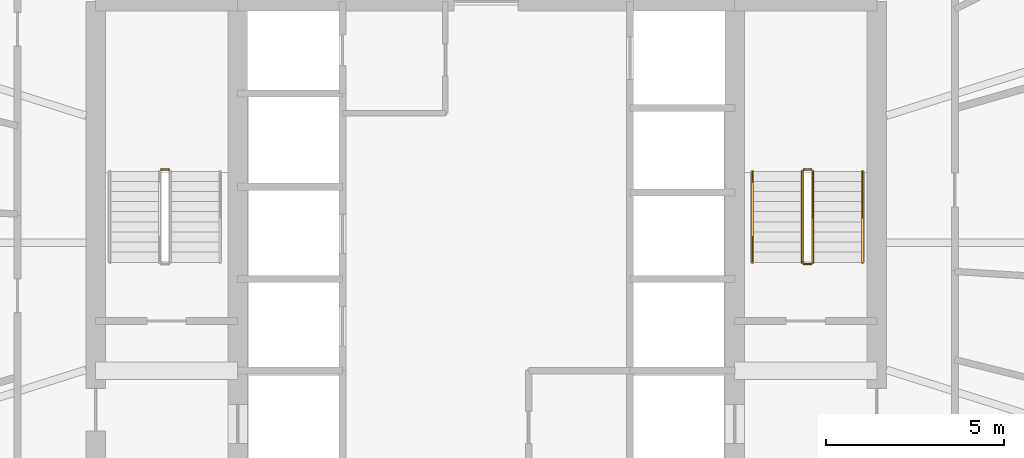
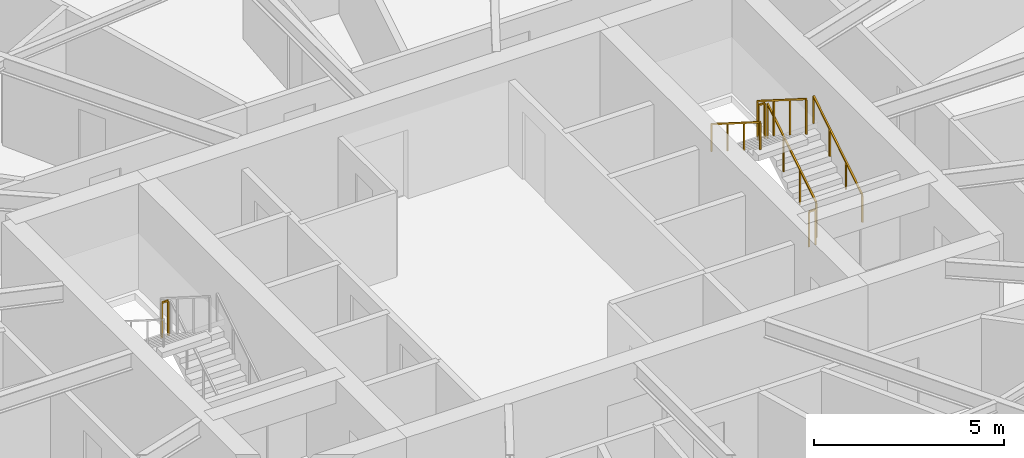
# One storey, part 24 of 24: 7 railings.
"""IFC4 building model written with IfcOpenShell, lengths in metres."""

import ifcopenshell
import ifcopenshell.guid

model = None  # the IFC model being written
_history = None  # IfcOwnerHistory: only IFC2X3 demands one
_inside = {}  # id of a spatial element -> (the spatial element, [elements in it])
_under = {}  # id of a project, library or spatial element -> (it, [spatial elements below it])
_declared = {}  # id of a project -> (the project, [libraries it declares])
_typed = {}  # id of a type object -> (the type object, [elements of that type])
_made_of = {}  # id of a material, layer set ... -> (it, [elements and type objects made of it])


def new_model(schema):
    """Start an empty IFC model of exactly this schema.

    Asked for "IFC4X3", IfcOpenShell would pick the latest addendum, in which some entities
    have other attributes; the version numbers below select the first issue.
    IFC2X3 requires an IfcOwnerHistory on every rooted entity: one is made here for all.
    """
    global model, _history
    if schema == "IFC4X3":
        model = ifcopenshell.file(schema_version=(4, 3, 0, 0))
    else:
        model = ifcopenshell.file(schema=schema)
    _inside.clear()
    _under.clear()
    _declared.clear()
    _typed.clear()
    _made_of.clear()
    _history = None
    if model.schema == "IFC2X3":
        org = make("IfcOrganization", Name="unknown")
        user = make(
            "IfcPersonAndOrganization",
            ThePerson=make("IfcPerson", FamilyName="unknown"),
            TheOrganization=org,
        )
        app = make(
            "IfcApplication",
            ApplicationDeveloper=org,
            Version="unknown",
            ApplicationFullName="unknown",
            ApplicationIdentifier="unknown",
        )
        _history = make(
            "IfcOwnerHistory",
            OwningUser=user,
            OwningApplication=app,
            ChangeAction="ADDED",
            CreationDate=0,
        )
    return model


def make(cls, **values):
    """One entity of the class cls with the attributes given. An attribute that is None is left unset."""
    return model.create_entity(
        cls, **{name: value for name, value in values.items() if value is not None}
    )


def rooted(cls, **values):
    """An entity with a GlobalId (a new one), such as an element, a storey or a relation."""
    return make(cls, GlobalId=ifcopenshell.guid.new(), OwnerHistory=_history, **values)


def si_unit(unit_type, name, prefix=None):
    """IfcSIUnit, for example si_unit("LENGTHUNIT", "METRE", prefix="MILLI")."""
    return make("IfcSIUnit", UnitType=unit_type, Prefix=prefix, Name=name)


def assignment(units):
    """IfcUnitAssignment: the units of a project."""
    return None if units is None else make("IfcUnitAssignment", Units=units)


def point(xyz):
    """IfcCartesianPoint."""
    return None if xyz is None else make("IfcCartesianPoint", Coordinates=xyz)


def direction(xyz):
    """IfcDirection."""
    return None if xyz is None else make("IfcDirection", DirectionRatios=xyz)


def frame(location, z_axis=None, x_axis=None):
    """IfcAxis2Placement3D, a coordinate frame: its origin and axes. An axis left out is left unset."""
    return make(
        "IfcAxis2Placement3D",
        Location=point(location),
        Axis=direction(z_axis),
        RefDirection=direction(x_axis),
    )


def frame_2d(location, x_axis=None):
    """IfcAxis2Placement2D, a coordinate frame in the plane: its origin and x axis."""
    return make(
        "IfcAxis2Placement2D", Location=point(location), RefDirection=direction(x_axis)
    )


def origin():
    """The frame at (0, 0, 0) with its axes left unset."""
    return frame((0.0, 0.0, 0.0))


def origin_2d():
    """The frame at (0, 0) in the plane with its x axis left unset."""
    return frame_2d((0.0, 0.0))


def place(relative_to, where):
    """IfcLocalPlacement: puts the frame where relative to a parent placement (None: the world)."""
    return make(
        "IfcLocalPlacement", PlacementRelTo=relative_to, RelativePlacement=where
    )


def context(
    kind, dimensions, precision=None, world=None, true_north=None, identifier=None
):
    """IfcGeometricRepresentationContext, for example the 3D "Model" context."""
    return make(
        "IfcGeometricRepresentationContext",
        ContextIdentifier=identifier,
        ContextType=kind,
        CoordinateSpaceDimension=dimensions,
        Precision=precision,
        WorldCoordinateSystem=world,
        TrueNorth=true_north,
    )


def subcontext(parent, identifier, kind, view, scale=None):
    """IfcGeometricRepresentationSubContext, for example "Body" below "Model"."""
    return make(
        "IfcGeometricRepresentationSubContext",
        ContextIdentifier=identifier,
        ContextType=kind,
        ParentContext=parent,
        TargetScale=scale,
        TargetView=view,
    )


def project(units=None, contexts=None):
    """IfcProject with its units and contexts."""
    return rooted(
        "IfcProject",
        Name="project",
        RepresentationContexts=contexts,
        UnitsInContext=assignment(units),
    )


def spatial(cls, under=None, at=None, **own):
    """A site, building, storey or space (cls), placed at a placement, below another one or the project."""
    s = rooted(cls, ObjectPlacement=at, **own)
    if under is not None:
        _under.setdefault(under.id(), (under, []))[1].append(s)
    return s


def profile(cls, at=None, kind="AREA", **sizes):
    """A parametric profile (cls). Its sizes go by their IFC names, for example OverallWidth=200.0."""
    return make(cls, ProfileType=kind, Position=at, **sizes)


def rectangle(**sizes):
    """IfcRectangleProfileDef."""
    return profile("IfcRectangleProfileDef", **sizes)


def extrude(swept, where, along, depth):
    """IfcExtrudedAreaSolid: the profile swept, set in the frame where, extruded along a direction by depth."""
    return make(
        "IfcExtrudedAreaSolid",
        SweptArea=swept,
        Position=where,
        ExtrudedDirection=direction(along),
        Depth=depth,
    )


def shape(context_of_items, identifier, shape_type, items):
    """IfcShapeRepresentation: the items that make up one representation, for example the "Body"."""
    return make(
        "IfcShapeRepresentation",
        ContextOfItems=context_of_items,
        RepresentationIdentifier=identifier,
        RepresentationType=shape_type,
        Items=items,
    )


def material(Name=None, Category=None):
    """IfcMaterial."""
    return make("IfcMaterial", Name=Name, Category=Category)


def made_of(thing, what):
    """Note that an element or type object is made of a material, layer set ...; save() writes the relation."""
    if what is not None:
        _made_of.setdefault(what.id(), (what, []))[1].append(thing)
    return thing


def type_object(cls, material=None, **own):
    """A type object (cls), such as IfcWallType, which elements share."""
    return made_of(rooted(cls, **own), material)


def element(
    cls,
    number,
    at=None,
    inside=None,
    cuts=None,
    type_object=None,
    material=None,
    context=None,
    identifier="Body",
    shape_type=None,
    held_by="IfcProductDefinitionShape",
    body=None,
    shapes=None,
    **own,
):
    """One element of the class cls, such as IfcWall. Its Tag is "e" and its number.

    at: its placement. inside: the storey or other place that contains it. cuts: it is an
    opening in that element (IfcRelVoidsElement). A single representation is given by context,
    identifier, shape_type and body (its items); several are given by shapes. held_by: the class
    of the entity that holds the representations. save() writes the other relations.
    """
    e = rooted(cls, Tag="e%d" % number, ObjectPlacement=at, **own)
    if body is not None:
        shapes = [shape(context, identifier, shape_type, body)]
    if shapes is not None:
        e.Representation = make(held_by, Representations=shapes)
    if inside is not None:
        _inside.setdefault(inside.id(), (inside, []))[1].append(e)
    if cuts is not None:
        rooted(
            "IfcRelVoidsElement", RelatingBuildingElement=cuts, RelatedOpeningElement=e
        )
    if type_object is not None:
        _typed.setdefault(type_object.id(), (type_object, []))[1].append(e)
    return made_of(e, material)


def aggregate(whole, parts):
    """IfcRelAggregates: a whole, such as a stair, and the parts it consists of."""
    return rooted("IfcRelAggregates", RelatingObject=whole, RelatedObjects=parts)


def save(model, path):
    """Write the relations noted so far, then the file.

    IfcRelAggregates (storeys below a building ...), IfcRelContainedInSpatialStructure (elements
    in a storey), IfcRelDefinesByType, IfcRelAssociatesMaterial and IfcRelDeclares: one each for
    every whole, place, type object, material and project.
    """
    for whole, parts in _under.values():
        aggregate(whole, parts)
    for where, things in _inside.values():
        rooted(
            "IfcRelContainedInSpatialStructure",
            RelatedElements=things,
            RelatingStructure=where,
        )
    for kind, things in _typed.values():
        rooted("IfcRelDefinesByType", RelatedObjects=things, RelatingType=kind)
    for what, things in _made_of.values():
        rooted("IfcRelAssociatesMaterial", RelatedObjects=things, RelatingMaterial=what)
    for by, libraries in _declared.values():
        rooted("IfcRelDeclares", RelatingContext=by, RelatedDefinitions=libraries)
    model.write(path)


model = new_model("IFC4")

# Units and contexts
model_context = context("Model", 3, precision=1e-05, world=origin(), true_north=direction((0.0, 1.0)))
body_context = subcontext(model_context, "Body", "Model", "MODEL_VIEW")
ifc_project = project(units=[si_unit("LENGTHUNIT", "METRE"), si_unit("AREAUNIT", "SQUARE_METRE"), si_unit("VOLUMEUNIT", "CUBIC_METRE"), si_unit("PLANEANGLEUNIT", "RADIAN"), si_unit("MASSUNIT", "GRAM", prefix="KILO")], contexts=[model_context])

# Site, building, storey
site_placement = place(None, origin())
site = spatial("IfcSite", under=ifc_project, at=site_placement, CompositionType="ELEMENT")
building_placement = place(site_placement, origin())
building = spatial("IfcBuilding", under=site, at=building_placement, Name="Sarneth Arch Tower", CompositionType="ELEMENT")
storey_placement = place(building_placement, frame((0.0, 0.0, 98.39990234375)))
storey = spatial("IfcBuildingStorey", under=building, at=storey_placement, Name="L24", CompositionType="ELEMENT", Elevation=98.39990234375)

# Railings
ifc_material_1 = material(Name="Brushed Stainless Steel 304 tubular handrail", Category="steel")
railing_type_1 = type_object("IfcRailingType", Name="RAIL-HANDRAIL-900", PredefinedType="HANDRAIL", material=ifc_material_1)
railing_1_placement = place(storey_placement, frame((58.60009765625, 41.449951171875, 0.18017578125)))
element("IfcRailing", 1, at=railing_1_placement, inside=storey, type_object=railing_type_1, Name="L24 ST-2 stair handrail 1", PredefinedType="HANDRAIL", context=body_context, shape_type="SweptSolid", body=[
    extrude(rectangle(XDim=0.048095703125, YDim=0.048095703125, at=origin_2d()), frame((0.0, 0.0, 0.8759765625), z_axis=(0.0, 0.845502289212, 0.533971796014), x_axis=(-1.0, 0.0, 0.0)), (0.0, 0.0, 1.0), 3.03369140625),
    extrude(rectangle(XDim=0.0419921875, YDim=0.0419921875, at=origin_2d()), origin(), (0.0, 0.0, 1.0), 0.851806640625),
    extrude(rectangle(XDim=0.0419921875, YDim=0.0419921875, at=origin_2d()), frame((0.0, 0.85498046875, 0.5400390625)), (0.0, 0.0, 1.0), 0.851806640625),
    extrude(rectangle(XDim=0.0419921875, YDim=0.0419921875, at=origin_2d()), frame((0.0, 1.7099609375, 1.079833984375)), (0.0, 0.0, 1.0), 0.851806640625),
    extrude(rectangle(XDim=0.0419921875, YDim=0.0419921875, at=origin_2d()), frame((0.0, 2.56494140625, 1.619873046875)), (0.0, 0.0, 1.0), 0.851806640625),
])
railing_2_placement = place(storey_placement, frame((55.5, 44.014892578125, 1.97998046875)))
element("IfcRailing", 2, at=railing_2_placement, inside=storey, type_object=railing_type_1, Name="L24 ST-2 stair handrail 2", PredefinedType="HANDRAIL", context=body_context, shape_type="SweptSolid", body=[
    extrude(rectangle(XDim=0.048095703125, YDim=0.048095703125, at=origin_2d()), frame((0.0, 0.0, 0.8759765625), z_axis=(0.0, -0.845465955043, 0.534029323973), x_axis=(1.0, 0.0, 0.0)), (0.0, 0.0, 1.0), 3.03369140625),
    extrude(rectangle(XDim=0.0419921875, YDim=0.0419921875, at=origin_2d()), origin(), (0.0, 0.0, 1.0), 0.851806640625),
    extrude(rectangle(XDim=0.0419921875, YDim=0.0419921875, at=origin_2d()), frame((0.0, -0.85498046875, 0.5400390625)), (0.0, 0.0, 1.0), 0.851806640625),
    extrude(rectangle(XDim=0.0419921875, YDim=0.0419921875, at=origin_2d()), frame((0.0, -1.7099609375, 1.080078125)), (0.0, 0.0, 1.0), 0.851806640625),
    extrude(rectangle(XDim=0.0419921875, YDim=0.0419921875, at=origin_2d()), frame((0.0, -2.56494140625, 1.6201171875)), (0.0, 0.0, 1.0), 0.851806640625),
])
ifc_material_2 = material(Name="Painted Steel S275 stair well guard", Category="steel")
railing_type_2 = type_object("IfcRailingType", Name="RAIL-STAIR-GUARD", PredefinedType="GUARDRAIL", material=ifc_material_2)
railing_3_placement = place(storey_placement, frame((39.050048828125, 44.06494140625, 1.800048828125)))
element("IfcRailing", 3, at=railing_3_placement, inside=storey, type_object=railing_type_2, Name="L24 ST-1 stair guard 2", PredefinedType="GUARDRAIL", context=body_context, shape_type="SweptSolid", body=[
    extrude(rectangle(XDim=0.048095703125, YDim=0.048095703125, at=origin_2d()), frame((0.0, 0.0, 1.1259765625), z_axis=(-1.0, 0.0, 0.0), x_axis=(0.0, -1.0, 0.0)), (0.0, 0.0, 1.0), 0.199951171875),
    extrude(rectangle(XDim=0.0419921875, YDim=0.0419921875, at=origin_2d()), origin(), (0.0, 0.0, 1.0), 1.101806640625),
    extrude(rectangle(XDim=0.0419921875, YDim=0.0419921875, at=origin_2d()), frame((-0.199951171875, 0.0, 0.0)), (0.0, 0.0, 1.0), 1.101806640625),
])
railing_4_placement = place(storey_placement, frame((57.199951171875, 41.449951171875, 0.18017578125)))
element("IfcRailing", 4, at=railing_4_placement, inside=storey, type_object=railing_type_2, Name="L24 ST-2 stair guard 1", PredefinedType="GUARDRAIL", context=body_context, shape_type="SweptSolid", body=[
    extrude(rectangle(XDim=0.048095703125, YDim=0.048095703125, at=origin_2d()), frame((0.0, 0.0, 1.1259765625), z_axis=(0.0, 0.845502289212, 0.533971796014), x_axis=(-1.0, 0.0, 0.0)), (0.0, 0.0, 1.0), 3.03369140625),
    extrude(rectangle(XDim=0.0419921875, YDim=0.0419921875, at=origin_2d()), origin(), (0.0, 0.0, 1.0), 1.101806640625),
    extrude(rectangle(XDim=0.0419921875, YDim=0.0419921875, at=origin_2d()), frame((0.0, 0.85498046875, 0.5400390625)), (0.0, 0.0, 1.0), 1.101806640625),
    extrude(rectangle(XDim=0.0419921875, YDim=0.0419921875, at=origin_2d()), frame((0.0, 1.7099609375, 1.079833984375)), (0.0, 0.0, 1.0), 1.101806640625),
    extrude(rectangle(XDim=0.0419921875, YDim=0.0419921875, at=origin_2d()), frame((0.0, 2.56494140625, 1.619873046875)), (0.0, 0.0, 1.0), 1.101806640625),
])
railing_5_placement = place(storey_placement, frame((57.14990234375, 44.06494140625, 1.800048828125)))
element("IfcRailing", 5, at=railing_5_placement, inside=storey, type_object=railing_type_2, Name="L24 ST-2 stair guard 2", PredefinedType="GUARDRAIL", context=body_context, shape_type="SweptSolid", body=[
    extrude(rectangle(XDim=0.048095703125, YDim=0.048095703125, at=origin_2d()), frame((0.0, 0.0, 1.1259765625), z_axis=(-1.0, 0.0, 0.0), x_axis=(0.0, -1.0, 0.0)), (0.0, 0.0, 1.0), 0.199951171875),
    extrude(rectangle(XDim=0.0419921875, YDim=0.0419921875, at=origin_2d()), origin(), (0.0, 0.0, 1.0), 1.101806640625),
    extrude(rectangle(XDim=0.0419921875, YDim=0.0419921875, at=origin_2d()), frame((-0.199951171875, 0.0, 0.0)), (0.0, 0.0, 1.0), 1.101806640625),
])
railing_6_placement = place(storey_placement, frame((56.89990234375, 44.014892578125, 1.97998046875)))
element("IfcRailing", 6, at=railing_6_placement, inside=storey, type_object=railing_type_2, Name="L24 ST-2 stair guard 3", PredefinedType="GUARDRAIL", context=body_context, shape_type="SweptSolid", body=[
    extrude(rectangle(XDim=0.048095703125, YDim=0.048095703125, at=origin_2d()), frame((0.0, 0.0, 1.1259765625), z_axis=(0.0, -0.845465955043, 0.534029323973), x_axis=(1.0, 0.0, 0.0)), (0.0, 0.0, 1.0), 3.03369140625),
    extrude(rectangle(XDim=0.0419921875, YDim=0.0419921875, at=origin_2d()), origin(), (0.0, 0.0, 1.0), 1.101806640625),
    extrude(rectangle(XDim=0.0419921875, YDim=0.0419921875, at=origin_2d()), frame((0.0, -0.85498046875, 0.5400390625)), (0.0, 0.0, 1.0), 1.101806640625),
    extrude(rectangle(XDim=0.0419921875, YDim=0.0419921875, at=origin_2d()), frame((0.0, -1.7099609375, 1.080078125)), (0.0, 0.0, 1.0), 1.101806640625),
    extrude(rectangle(XDim=0.0419921875, YDim=0.0419921875, at=origin_2d()), frame((0.0, -2.56494140625, 1.6201171875)), (0.0, 0.0, 1.0), 1.101806640625),
])
railing_7_placement = place(storey_placement, frame((57.14990234375, 41.39990234375, 0.0)))
element("IfcRailing", 7, at=railing_7_placement, inside=storey, type_object=railing_type_2, Name="L24 ST-2 stair guard 4", PredefinedType="GUARDRAIL", context=body_context, shape_type="SweptSolid", body=[
    extrude(rectangle(XDim=0.048095703125, YDim=0.048095703125, at=origin_2d()), frame((0.0, 0.0, 1.1259765625), z_axis=(-1.0, 0.0, 0.0), x_axis=(0.0, -1.0, 0.0)), (0.0, 0.0, 1.0), 0.199951171875),
    extrude(rectangle(XDim=0.0419921875, YDim=0.0419921875, at=origin_2d()), origin(), (0.0, 0.0, 1.0), 1.101806640625),
    extrude(rectangle(XDim=0.0419921875, YDim=0.0419921875, at=origin_2d()), frame((-0.199951171875, 0.0, 0.0)), (0.0, 0.0, 1.0), 1.101806640625),
])

save(model, "model.ifc")
